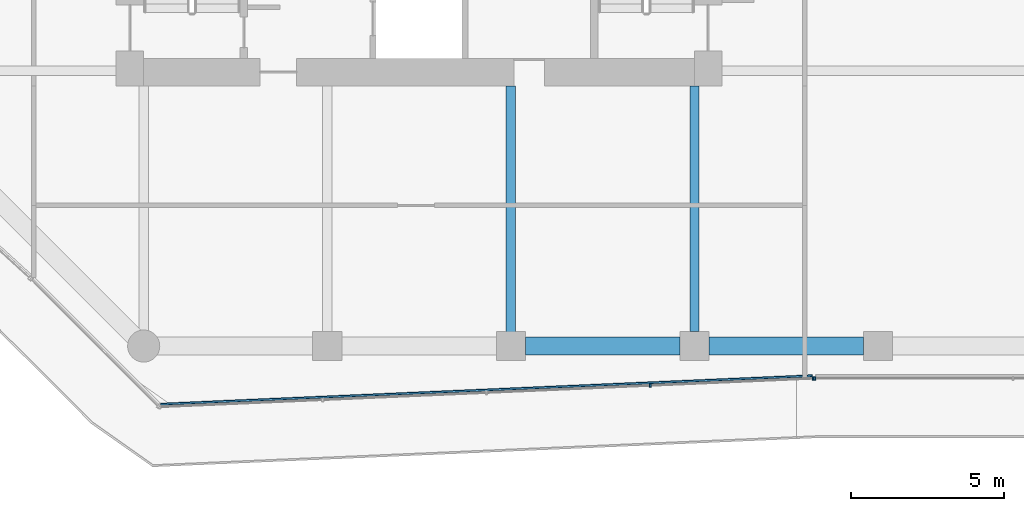
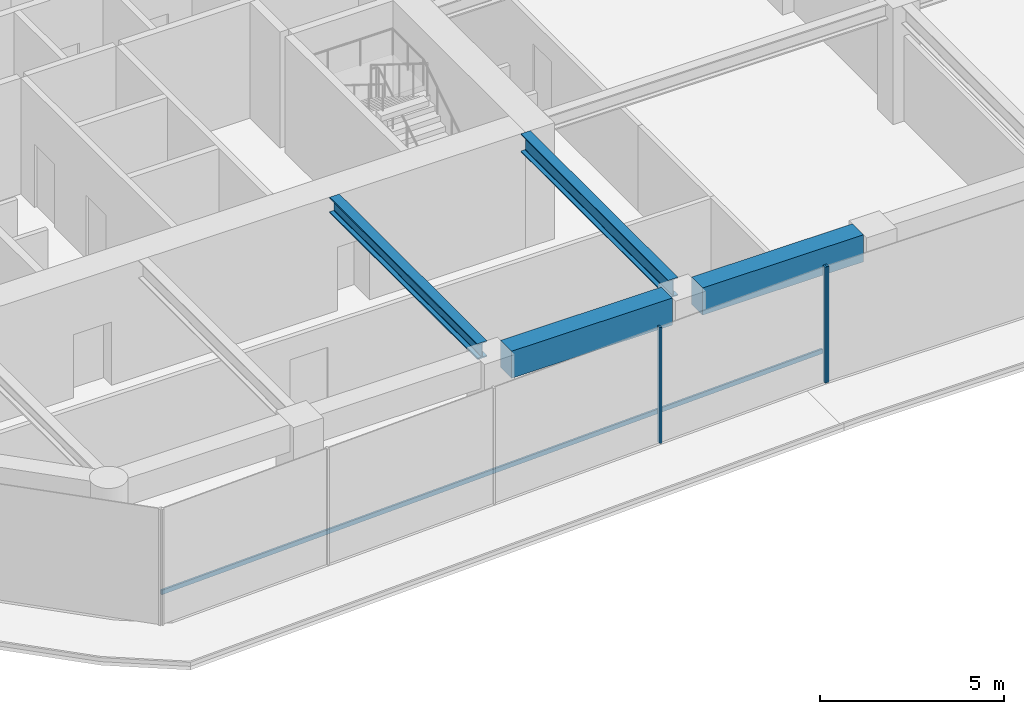
# One storey, part 3 of 29: 4 beams, 4 members, 2 elements without a shape of their own.
"""IFC4 building model written with IfcOpenShell, lengths in metres."""

from ifc_helpers import new_model, si_unit, direction, frame, origin, origin_2d, place, context, subcontext, project, spatial, rectangle, i_section, extrude, material, layer, layer_set, material_profile, profile_set, type_object, element, aggregate, save


model = new_model("IFC4")

# Units and contexts
model_context = context("Model", 3, precision=1e-05, world=origin(), true_north=direction((0.0, 1.0)))
body_context = subcontext(model_context, "Body", "Model", "MODEL_VIEW")
ifc_project = project(units=[si_unit("LENGTHUNIT", "METRE"), si_unit("AREAUNIT", "SQUARE_METRE"), si_unit("VOLUMEUNIT", "CUBIC_METRE"), si_unit("PLANEANGLEUNIT", "RADIAN"), si_unit("MASSUNIT", "GRAM", prefix="KILO")], contexts=[model_context])

# Site, building, storey
site_placement = place(None, origin())
site = spatial("IfcSite", under=ifc_project, at=site_placement, CompositionType="ELEMENT")
building_placement = place(site_placement, origin())
building = spatial("IfcBuilding", under=site, at=building_placement, Name="Welwitschia Terrace Campus", CompositionType="ELEMENT")
storey_placement = place(building_placement, frame((0.0, 0.0, 62.60009765625)))
storey = spatial("IfcBuildingStorey", under=building, at=storey_placement, Name="L14", CompositionType="ELEMENT", Elevation=62.60009765625)

# Beam
ifc_material_1 = material(Name="Steel S355", Category="steel")
ifc_material_profile_1 = material_profile(ifc_material_1, i_section(OverallWidth=0.305908203125, OverallDepth=0.52392578125, WebThickness=0.02099609375, FlangeThickness=0.0400390625, FilletRadius=0.027099609375, at=origin_2d()))
ifc_profile_set_1 = profile_set([ifc_material_profile_1], Name="Steel S355")
beam_type_1 = type_object("IfcBeamType", Name="Interior girder HE 500 M", PredefinedType="BEAM", material=ifc_profile_set_1)
beam_1_placement = place(storey_placement, frame((18.0, -3.534423828125, 3.587890625), z_axis=(0.0, 1.0, 0.0), x_axis=(-1.0, 0.0, 0.0)))
element("IfcBeam", 1, at=beam_1_placement, inside=storey, type_object=beam_type_1, Name="Girder GB2", PredefinedType="BEAM", context=body_context, shape_type="SweptSolid", body=[
    extrude(i_section(OverallWidth=0.305908203125, OverallDepth=0.52392578125, WebThickness=0.02099609375, FlangeThickness=0.0400390625, FilletRadius=0.027099609375, at=origin_2d()), origin(), (0.0, 0.0, 1.0), 8.033447265625),
])

# Curtain wall, members
ifc_material_2 = material(Name="Bronze anodised aluminium", Category="aluminium")
ifc_layer = layer(ifc_material_2, 0.1201171875)
ifc_layer_set = layer_set([ifc_layer], Name="Bronze anodised aluminium")
curtain_wall_type = type_object("IfcCurtainWallType", Name="Curtain wall CW2 tower 6000", PredefinedType="NOTDEFINED", material=ifc_layer_set)
curtain_wall_1_placement = place(storey_placement, origin())
curtain_wall_1 = element("IfcCurtainWall", 2, at=curtain_wall_1_placement, inside=storey, type_object=curtain_wall_type, Name="CW L14.2.0", PredefinedType="NOTDEFINED")
ifc_material_3 = material(Name="Bronze anodised aluminium", Category="aluminium")
ifc_material_profile_2 = material_profile(ifc_material_3, rectangle(XDim=0.1201171875, YDim=0.06005859375, at=origin_2d()))
ifc_profile_set_2 = profile_set([ifc_material_profile_2], Name="Bronze anodised aluminium")
member_type_1 = type_object("IfcMemberType", Name="Mullion 60x120", PredefinedType="MULLION", material=ifc_profile_set_2)
member_1_placement = place(storey_placement, frame((22.5556640625, -5.291748046875, 0.0), z_axis=(0.0, 0.0, 1.0), x_axis=(-0.043619387365, 0.999048221582, 0.0)))
member_1 = element("IfcMember", 3, at=member_1_placement, type_object=member_type_1, Name="Mullion L14.2.0.3", PredefinedType="MULLION", context=body_context, shape_type="SweptSolid", body=[
    extrude(rectangle(XDim=0.1201171875, YDim=0.06005859375, at=origin_2d()), origin(), (0.0, 0.0, 1.0), 3.849853515625),
])
member_2_placement = place(storey_placement, frame((27.87890625, -5.059326171875, 0.0), z_axis=(0.0, 0.0, 1.0), x_axis=(-0.043619387365, 0.999048221582, 0.0)))
member_2 = element("IfcMember", 4, at=member_2_placement, type_object=member_type_1, Name="Mullion L14.2.0.4", PredefinedType="MULLION", context=body_context, shape_type="SweptSolid", body=[
    extrude(rectangle(XDim=0.1201171875, YDim=0.06005859375, at=origin_2d()), origin(), (0.0, 0.0, 1.0), 3.849853515625),
])

# Curtain wall, member
curtain_wall_2_placement = place(storey_placement, origin())
curtain_wall_2 = element("IfcCurtainWall", 5, at=curtain_wall_2_placement, inside=storey, type_object=curtain_wall_type, Name="CW L14.3.0", PredefinedType="NOTDEFINED")
member_3_placement = place(storey_placement, frame((27.938720703125, -5.05810546875, 0.0), z_axis=(0.0, 0.0, 1.0), x_axis=(0.0, 1.0, 0.0)))
member_3 = element("IfcMember", 6, at=member_3_placement, type_object=member_type_1, Name="Mullion L14.3.0.0", PredefinedType="MULLION", context=body_context, shape_type="SweptSolid", body=[
    extrude(rectangle(XDim=0.1201171875, YDim=0.06005859375, at=origin_2d()), origin(), (0.0, 0.0, 1.0), 3.849853515625),
])
aggregate(curtain_wall_2, [member_3])

# Beams
ifc_material_4 = material(Name="Steel S355", Category="steel")
ifc_material_profile_3 = material_profile(ifc_material_4, i_section(OverallWidth=0.300048828125, OverallDepth=0.60009765625, WebThickness=0.015380859375, FlangeThickness=0.030029296875, FilletRadius=0.027099609375, at=origin_2d()))
ifc_profile_set_3 = profile_set([ifc_material_profile_3], Name="Steel S355")
beam_type_2 = type_object("IfcBeamType", Name="Primary beam HE 600 B", PredefinedType="BEAM", material=ifc_profile_set_3)
beam_2_placement = place(storey_placement, frame((24.0, -3.5244140625, 3.5498046875), z_axis=(0.0, 1.0, 0.0), x_axis=(-1.0, 0.0, 0.0)))
element("IfcBeam", 7, at=beam_2_placement, inside=storey, type_object=beam_type_2, Name="Primary beam PB2", PredefinedType="BEAM", context=body_context, shape_type="SweptSolid", body=[
    extrude(i_section(OverallWidth=0.300048828125, OverallDepth=0.60009765625, WebThickness=0.015380859375, FlangeThickness=0.030029296875, FilletRadius=0.027099609375, at=origin_2d()), origin(), (0.0, 0.0, 1.0), 8.0244140625),
])
ifc_material_5 = material(Name="Concrete C60/75", Category="concrete")
ifc_material_profile_4 = material_profile(ifc_material_5, rectangle(XDim=0.60009765625, YDim=0.89990234375, at=origin_2d()))
ifc_profile_set_4 = profile_set([ifc_material_profile_4], Name="Concrete C60/75")
beam_type_3 = type_object("IfcBeamType", Name="Ring spandrel 600x900", PredefinedType="SPANDREL", material=ifc_profile_set_4)
for number, where, z_axis, x_axis, name in (
    (8, (18.4755859375, -4.0, 3.39990234375), (1.0, 0.0, 0.0), (0.0, 1.0, 0.0), "Spandrel SP2"),
    (9, (24.4755859375, -4.0, 3.39990234375), (1.0, 0.0, 0.0), (0.0, 1.0, 0.0), "Spandrel SP2"),
):
    element("IfcBeam", number, at=place(storey_placement, frame(where, z_axis=z_axis, x_axis=x_axis)), inside=storey, type_object=beam_type_3, Name=name, PredefinedType="SPANDREL", context=body_context, shape_type="SweptSolid", body=[
        extrude(rectangle(XDim=0.60009765625, YDim=0.89990234375, at=origin_2d()), origin(), (0.0, 0.0, 1.0), 5.048828125),
    ])

# Member
ifc_material_6 = material(Name="Bronze anodised aluminium", Category="aluminium")
ifc_material_profile_5 = material_profile(ifc_material_6, rectangle(XDim=0.06005859375, YDim=0.14990234375, at=origin_2d()))
ifc_profile_set_5 = profile_set([ifc_material_profile_5], Name="Bronze anodised aluminium")
member_type_2 = type_object("IfcMemberType", Name="Transom 60x150", PredefinedType="USERDEFINED", material=ifc_profile_set_5)
member_4_placement = place(storey_placement, frame((6.552734375, -5.900390625, 1.0), z_axis=(0.999048122646, 0.04362165332, 0.0), x_axis=(-0.04362165332, 0.999048122646, 0.0)))
member_4 = element("IfcMember", 10, at=member_4_placement, type_object=member_type_2, Name="Transom L14.2.0", ObjectType="TRANSOM", PredefinedType="USERDEFINED", context=body_context, shape_type="SweptSolid", body=[
    extrude(rectangle(XDim=0.06005859375, YDim=0.14990234375, at=origin_2d()), origin(), (0.0, 0.0, 1.0), 21.3125),
])

aggregate(curtain_wall_1, [member_1, member_2, member_4])

save(model, "model.ifc")
